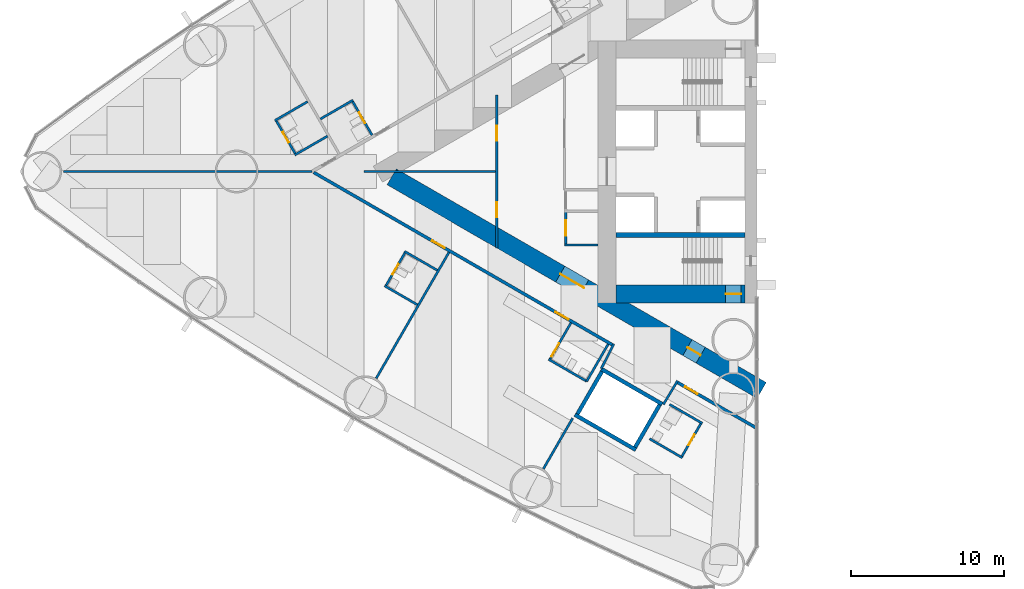
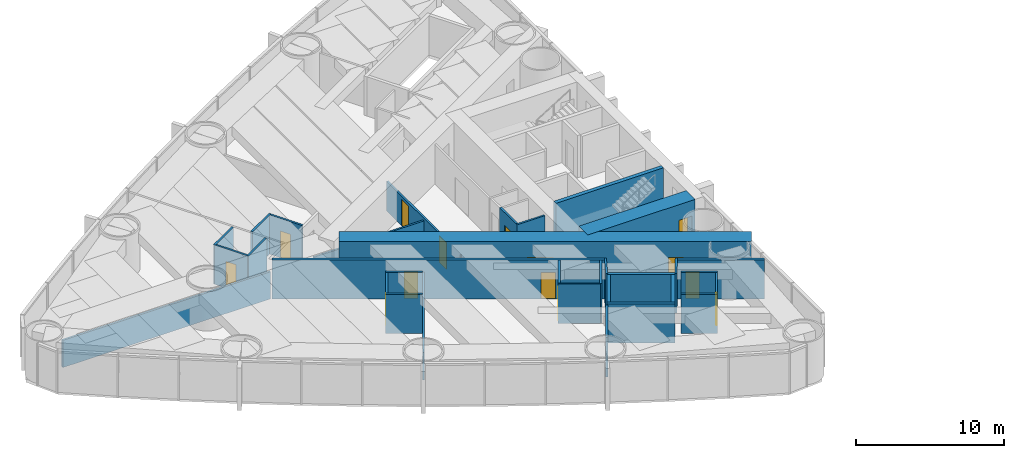
# One storey, part 11 of 19: 32 walls, 14 doors, 14 openings.
"""IFC4 building model written with IfcOpenShell, lengths in metres."""

import ifcopenshell
import ifcopenshell.guid

model = None  # the IFC model being written
_history = None  # IfcOwnerHistory: only IFC2X3 demands one
_inside = {}  # id of a spatial element -> (the spatial element, [elements in it])
_under = {}  # id of a project, library or spatial element -> (it, [spatial elements below it])
_declared = {}  # id of a project -> (the project, [libraries it declares])
_typed = {}  # id of a type object -> (the type object, [elements of that type])
_made_of = {}  # id of a material, layer set ... -> (it, [elements and type objects made of it])


def new_model(schema):
    """Start an empty IFC model of exactly this schema.

    Asked for "IFC4X3", IfcOpenShell would pick the latest addendum, in which some entities
    have other attributes; the version numbers below select the first issue.
    IFC2X3 requires an IfcOwnerHistory on every rooted entity: one is made here for all.
    """
    global model, _history
    if schema == "IFC4X3":
        model = ifcopenshell.file(schema_version=(4, 3, 0, 0))
    else:
        model = ifcopenshell.file(schema=schema)
    _inside.clear()
    _under.clear()
    _declared.clear()
    _typed.clear()
    _made_of.clear()
    _history = None
    if model.schema == "IFC2X3":
        org = make("IfcOrganization", Name="unknown")
        user = make(
            "IfcPersonAndOrganization",
            ThePerson=make("IfcPerson", FamilyName="unknown"),
            TheOrganization=org,
        )
        app = make(
            "IfcApplication",
            ApplicationDeveloper=org,
            Version="unknown",
            ApplicationFullName="unknown",
            ApplicationIdentifier="unknown",
        )
        _history = make(
            "IfcOwnerHistory",
            OwningUser=user,
            OwningApplication=app,
            ChangeAction="ADDED",
            CreationDate=0,
        )
    return model


def make(cls, **values):
    """One entity of the class cls with the attributes given. An attribute that is None is left unset."""
    return model.create_entity(
        cls, **{name: value for name, value in values.items() if value is not None}
    )


def rooted(cls, **values):
    """An entity with a GlobalId (a new one), such as an element, a storey or a relation."""
    return make(cls, GlobalId=ifcopenshell.guid.new(), OwnerHistory=_history, **values)


def si_unit(unit_type, name, prefix=None):
    """IfcSIUnit, for example si_unit("LENGTHUNIT", "METRE", prefix="MILLI")."""
    return make("IfcSIUnit", UnitType=unit_type, Prefix=prefix, Name=name)


def assignment(units):
    """IfcUnitAssignment: the units of a project."""
    return None if units is None else make("IfcUnitAssignment", Units=units)


def point(xyz):
    """IfcCartesianPoint."""
    return None if xyz is None else make("IfcCartesianPoint", Coordinates=xyz)


def direction(xyz):
    """IfcDirection."""
    return None if xyz is None else make("IfcDirection", DirectionRatios=xyz)


def frame(location, z_axis=None, x_axis=None):
    """IfcAxis2Placement3D, a coordinate frame: its origin and axes. An axis left out is left unset."""
    return make(
        "IfcAxis2Placement3D",
        Location=point(location),
        Axis=direction(z_axis),
        RefDirection=direction(x_axis),
    )


def frame_2d(location, x_axis=None):
    """IfcAxis2Placement2D, a coordinate frame in the plane: its origin and x axis."""
    return make(
        "IfcAxis2Placement2D", Location=point(location), RefDirection=direction(x_axis)
    )


def origin():
    """The frame at (0, 0, 0) with its axes left unset."""
    return frame((0.0, 0.0, 0.0))


def place(relative_to, where):
    """IfcLocalPlacement: puts the frame where relative to a parent placement (None: the world)."""
    return make(
        "IfcLocalPlacement", PlacementRelTo=relative_to, RelativePlacement=where
    )


def context(
    kind, dimensions, precision=None, world=None, true_north=None, identifier=None
):
    """IfcGeometricRepresentationContext, for example the 3D "Model" context."""
    return make(
        "IfcGeometricRepresentationContext",
        ContextIdentifier=identifier,
        ContextType=kind,
        CoordinateSpaceDimension=dimensions,
        Precision=precision,
        WorldCoordinateSystem=world,
        TrueNorth=true_north,
    )


def subcontext(parent, identifier, kind, view, scale=None):
    """IfcGeometricRepresentationSubContext, for example "Body" below "Model"."""
    return make(
        "IfcGeometricRepresentationSubContext",
        ContextIdentifier=identifier,
        ContextType=kind,
        ParentContext=parent,
        TargetScale=scale,
        TargetView=view,
    )


def project(units=None, contexts=None):
    """IfcProject with its units and contexts."""
    return rooted(
        "IfcProject",
        Name="project",
        RepresentationContexts=contexts,
        UnitsInContext=assignment(units),
    )


def spatial(cls, under=None, at=None, **own):
    """A site, building, storey or space (cls), placed at a placement, below another one or the project."""
    s = rooted(cls, ObjectPlacement=at, **own)
    if under is not None:
        _under.setdefault(under.id(), (under, []))[1].append(s)
    return s


def profile(cls, at=None, kind="AREA", **sizes):
    """A parametric profile (cls). Its sizes go by their IFC names, for example OverallWidth=200.0."""
    return make(cls, ProfileType=kind, Position=at, **sizes)


def rectangle(**sizes):
    """IfcRectangleProfileDef."""
    return profile("IfcRectangleProfileDef", **sizes)


def extrude(swept, where, along, depth):
    """IfcExtrudedAreaSolid: the profile swept, set in the frame where, extruded along a direction by depth."""
    return make(
        "IfcExtrudedAreaSolid",
        SweptArea=swept,
        Position=where,
        ExtrudedDirection=direction(along),
        Depth=depth,
    )


def shape(context_of_items, identifier, shape_type, items):
    """IfcShapeRepresentation: the items that make up one representation, for example the "Body"."""
    return make(
        "IfcShapeRepresentation",
        ContextOfItems=context_of_items,
        RepresentationIdentifier=identifier,
        RepresentationType=shape_type,
        Items=items,
    )


def material(Name=None, Category=None):
    """IfcMaterial."""
    return make("IfcMaterial", Name=Name, Category=Category)


def layer(
    of_material, thickness, ventilated=None, Name=None, Category=None, Priority=None
):
    """IfcMaterialLayer: one layer of a wall or slab, of a material (None: an air gap)."""
    return make(
        "IfcMaterialLayer",
        Material=of_material,
        LayerThickness=thickness,
        IsVentilated=ventilated,
        Name=Name,
        Category=Category,
        Priority=Priority,
    )


def layer_set(layers, Name=None):
    """IfcMaterialLayerSet."""
    return make("IfcMaterialLayerSet", MaterialLayers=layers, LayerSetName=Name)


def made_of(thing, what):
    """Note that an element or type object is made of a material, layer set ...; save() writes the relation."""
    if what is not None:
        _made_of.setdefault(what.id(), (what, []))[1].append(thing)
    return thing


def type_object(cls, material=None, **own):
    """A type object (cls), such as IfcWallType, which elements share."""
    return made_of(rooted(cls, **own), material)


def element(
    cls,
    number,
    at=None,
    inside=None,
    cuts=None,
    type_object=None,
    material=None,
    context=None,
    identifier="Body",
    shape_type=None,
    held_by="IfcProductDefinitionShape",
    body=None,
    shapes=None,
    **own,
):
    """One element of the class cls, such as IfcWall. Its Tag is "e" and its number.

    at: its placement. inside: the storey or other place that contains it. cuts: it is an
    opening in that element (IfcRelVoidsElement). A single representation is given by context,
    identifier, shape_type and body (its items); several are given by shapes. held_by: the class
    of the entity that holds the representations. save() writes the other relations.
    """
    e = rooted(cls, Tag="e%d" % number, ObjectPlacement=at, **own)
    if body is not None:
        shapes = [shape(context, identifier, shape_type, body)]
    if shapes is not None:
        e.Representation = make(held_by, Representations=shapes)
    if inside is not None:
        _inside.setdefault(inside.id(), (inside, []))[1].append(e)
    if cuts is not None:
        rooted(
            "IfcRelVoidsElement", RelatingBuildingElement=cuts, RelatedOpeningElement=e
        )
    if type_object is not None:
        _typed.setdefault(type_object.id(), (type_object, []))[1].append(e)
    return made_of(e, material)


def fill(opening, filler):
    """IfcRelFillsElement: the door or window that sits in an opening."""
    return rooted(
        "IfcRelFillsElement",
        RelatingOpeningElement=opening,
        RelatedBuildingElement=filler,
    )


def aggregate(whole, parts):
    """IfcRelAggregates: a whole, such as a stair, and the parts it consists of."""
    return rooted("IfcRelAggregates", RelatingObject=whole, RelatedObjects=parts)


def save(model, path):
    """Write the relations noted so far, then the file.

    IfcRelAggregates (storeys below a building ...), IfcRelContainedInSpatialStructure (elements
    in a storey), IfcRelDefinesByType, IfcRelAssociatesMaterial and IfcRelDeclares: one each for
    every whole, place, type object, material and project.
    """
    for whole, parts in _under.values():
        aggregate(whole, parts)
    for where, things in _inside.values():
        rooted(
            "IfcRelContainedInSpatialStructure",
            RelatedElements=things,
            RelatingStructure=where,
        )
    for kind, things in _typed.values():
        rooted("IfcRelDefinesByType", RelatedObjects=things, RelatingType=kind)
    for what, things in _made_of.values():
        rooted("IfcRelAssociatesMaterial", RelatedObjects=things, RelatingMaterial=what)
    for by, libraries in _declared.values():
        rooted("IfcRelDeclares", RelatingContext=by, RelatedDefinitions=libraries)
    model.write(path)


model = new_model("IFC4")

# Units and contexts
model_context = context("Model", 3, precision=1e-05, world=origin(), true_north=direction((0.0, 1.0)))
body_context = subcontext(model_context, "Body", "Model", "MODEL_VIEW")
ifc_project = project(units=[si_unit("LENGTHUNIT", "METRE"), si_unit("AREAUNIT", "SQUARE_METRE"), si_unit("VOLUMEUNIT", "CUBIC_METRE"), si_unit("PLANEANGLEUNIT", "RADIAN"), si_unit("MASSUNIT", "GRAM", prefix="KILO")], contexts=[model_context])

# Site, building, storey
site_placement = place(None, origin())
site = spatial("IfcSite", under=ifc_project, at=site_placement, CompositionType="ELEMENT")
building_placement = place(site_placement, origin())
building = spatial("IfcBuilding", under=site, at=building_placement, Name="Lancet Gate Hotel", CompositionType="ELEMENT")
storey_placement = place(building_placement, frame((0.0, 0.0, 32.0)))
storey = spatial("IfcBuildingStorey", under=building, at=storey_placement, Name="L07", CompositionType="ELEMENT", Elevation=32.0)

# Wall
ifc_material_1 = material(Name="Moisture resistant board partition")
ifc_layer_1 = layer(ifc_material_1, 0.14990234375)
ifc_layer_set_1 = layer_set([ifc_layer_1], Name="Bathroom wall 150")
wall_type_1 = type_object("IfcWallType", Name="Bathroom wall 150", PredefinedType="PARTITIONING", material=ifc_layer_set_1)
wall_1_placement = place(storey_placement, frame((-53.8876953125, 4.665283203125, 0.0), z_axis=(0.0, 0.0, 1.0), x_axis=(-0.866006523861, -0.500032699561, 0.0)))
element("IfcWall", 1, at=wall_1_placement, inside=storey, type_object=wall_type_1, Name="T1 bathroom wall 150 L07", PredefinedType="PARTITIONING", context=body_context, shape_type="SweptSolid", body=[
    extrude(rectangle(XDim=2.474853515625, YDim=0.14990234375, at=frame_2d((1.2373046875, 0.0))), origin(), (0.0, 0.0, 1.0), 3.25),
])

# Wall, opening, door
wall_2_placement = place(storey_placement, frame((-52.652587890625, 2.376220703125, 0.0), z_axis=(0.0, 0.0, 1.0), x_axis=(-0.500006934395, 0.866021400173, 0.0)))
wall_2 = element("IfcWall", 2, at=wall_2_placement, inside=storey, type_object=wall_type_1, Name="T1 bathroom wall 150 L07", PredefinedType="PARTITIONING", context=body_context, shape_type="SweptSolid", body=[
    extrude(rectangle(XDim=2.60009765625, YDim=0.14990234375, at=frame_2d((1.300048828125, 0.0))), origin(), (0.0, 0.0, 1.0), 3.25),
])
opening_1_placement = place(wall_2_placement, frame((0.89990234375, 0.0, 0.0)))
opening_1 = element("IfcOpeningElement", 3, at=opening_1_placement, cuts=wall_2, Name="Opening 0703-B", PredefinedType="OPENING", context=body_context, shape_type="SweptSolid", body=[
    extrude(rectangle(XDim=0.800048828125, YDim=2.199951171875, at=frame_2d((0.39990234375, 1.10009765625))), frame((0.0, 0.0849609375, 0.0), z_axis=(0.0, -1.0, 0.0), x_axis=(1.0, 0.0, 0.0)), (0.0, 0.0, 1.0), 0.169921875),
])
ifc_material_2 = material(Name="Timber door set", Category="wood")
door_type_1 = type_object("IfcDoorType", Name="Bathroom door 800", OperationType="SINGLE_SWING_RIGHT", PredefinedType="DOOR", material=ifc_material_2)
door_1_placement = place(opening_1_placement, origin())
door_1 = element("IfcDoor", 4, at=door_1_placement, inside=storey, type_object=door_type_1, Name="0703-B", OperationType="SINGLE_SWING_RIGHT", OverallHeight=2.199951171875, OverallWidth=0.800048828125, PredefinedType="DOOR", context=body_context, shape_type="SweptSolid", body=[
    extrude(rectangle(XDim=0.800048828125, YDim=2.199951171875, at=frame_2d((0.39990234375, 1.10009765625))), frame((0.0, 0.02490234375, 0.0), z_axis=(0.0, -1.0, 0.0), x_axis=(1.0, 0.0, 0.0)), (0.0, 0.0, 1.0), 0.050048828125),
])
fill(opening_1, door_1)

# Wall
wall_3_placement = place(storey_placement, frame((-56.861083984375, 4.565185546875, 0.0), z_axis=(0.0, 0.0, 1.0), x_axis=(-0.86604923931, -0.499958713387, 0.0)))
element("IfcWall", 5, at=wall_3_placement, inside=storey, type_object=wall_type_1, Name="T1 bathroom wall 150 L07", PredefinedType="PARTITIONING", context=body_context, shape_type="SweptSolid", body=[
    extrude(rectangle(XDim=2.474853515625, YDim=0.14990234375, at=frame_2d((1.2373046875, 0.0))), origin(), (0.0, 0.0, 1.0), 3.25),
])

# Wall, opening, door
wall_4_placement = place(storey_placement, frame((-57.639404296875, 1.113525390625, 0.0), z_axis=(0.0, 0.0, 1.0), x_axis=(-0.500006934395, 0.866021400173, 0.0)))
wall_4 = element("IfcWall", 6, at=wall_4_placement, inside=storey, type_object=wall_type_1, Name="T1 bathroom wall 150 L07", PredefinedType="PARTITIONING", context=body_context, shape_type="SweptSolid", body=[
    extrude(rectangle(XDim=2.60009765625, YDim=0.14990234375, at=frame_2d((1.300048828125, 0.0))), origin(), (0.0, 0.0, 1.0), 3.25),
])
opening_2_placement = place(wall_4_placement, frame((0.89990234375, 0.0, 0.0)))
opening_2 = element("IfcOpeningElement", 7, at=opening_2_placement, cuts=wall_4, Name="Opening 0704-B", PredefinedType="OPENING", context=body_context, shape_type="SweptSolid", body=[
    extrude(rectangle(XDim=0.800048828125, YDim=2.199951171875, at=frame_2d((0.39990234375, 1.10009765625))), frame((0.0, 0.0849609375, 0.0), z_axis=(0.0, -1.0, 0.0), x_axis=(1.0, 0.0, 0.0)), (0.0, 0.0, 1.0), 0.169921875),
])
door_2_placement = place(opening_2_placement, origin())
door_2 = element("IfcDoor", 8, at=door_2_placement, inside=storey, type_object=door_type_1, Name="0704-B", OperationType="SINGLE_SWING_RIGHT", OverallHeight=2.199951171875, OverallWidth=0.800048828125, PredefinedType="DOOR", context=body_context, shape_type="SweptSolid", body=[
    extrude(rectangle(XDim=0.800048828125, YDim=2.199951171875, at=frame_2d((0.39990234375, 1.10009765625))), frame((0.0, 0.02490234375, 0.0), z_axis=(0.0, -1.0, 0.0), x_axis=(1.0, 0.0, 0.0)), (0.0, 0.0, 1.0), 0.050048828125),
])
fill(opening_2, door_2)

# Walls
wall_5_placement = place(storey_placement, frame((-55.56103515625, 2.3134765625, 0.0), z_axis=(0.0, 0.0, 1.0), x_axis=(-0.86604923931, -0.499958713387, 0.0)))
element("IfcWall", 9, at=wall_5_placement, inside=storey, type_object=wall_type_1, Name="T1 bathroom wall 150 L07", PredefinedType="PARTITIONING", context=body_context, shape_type="SweptSolid", body=[
    extrude(rectangle(XDim=2.474853515625, YDim=0.14990234375, at=frame_2d((1.2373046875, 0.0))), origin(), (0.0, 0.0, 1.0), 3.25),
])
wall_6_placement = place(storey_placement, frame((-49.691650390625, -8.704345703125, 0.0), z_axis=(0.0, 0.0, 1.0), x_axis=(-0.866073894602, 0.499916002032, 0.0)))
element("IfcWall", 10, at=wall_6_placement, inside=storey, type_object=wall_type_1, Name="T1 bathroom wall 150 L07", PredefinedType="PARTITIONING", context=body_context, shape_type="SweptSolid", body=[
    extrude(rectangle(XDim=2.47509765625, YDim=0.14990234375, at=frame_2d((1.237548828125, 0.0))), origin(), (0.0, 0.0, 1.0), 3.25),
])

# Wall, opening, door
wall_7_placement = place(storey_placement, frame((-50.47021484375, -5.252685546875, 0.0), z_axis=(0.0, 0.0, 1.0), x_axis=(-0.500006934395, -0.866021400173, 0.0)))
wall_7 = element("IfcWall", 11, at=wall_7_placement, inside=storey, type_object=wall_type_1, Name="T1 bathroom wall 150 L07", PredefinedType="PARTITIONING", context=body_context, shape_type="SweptSolid", body=[
    extrude(rectangle(XDim=2.60009765625, YDim=0.14990234375, at=frame_2d((1.300048828125, 0.0))), origin(), (0.0, 0.0, 1.0), 3.25),
])
opening_3_placement = place(wall_7_placement, frame((0.89990234375, 0.0, 0.0)))
opening_3 = element("IfcOpeningElement", 12, at=opening_3_placement, cuts=wall_7, Name="Opening 0705-B", PredefinedType="OPENING", context=body_context, shape_type="SweptSolid", body=[
    extrude(rectangle(XDim=0.800048828125, YDim=2.199951171875, at=frame_2d((0.39990234375, 1.10009765625))), frame((0.0, 0.0849609375, 0.0), z_axis=(0.0, -1.0, 0.0), x_axis=(1.0, 0.0, 0.0)), (0.0, 0.0, 1.0), 0.169921875),
])
door_3_placement = place(opening_3_placement, origin())
door_3 = element("IfcDoor", 13, at=door_3_placement, inside=storey, type_object=door_type_1, Name="0705-B", OperationType="SINGLE_SWING_RIGHT", OverallHeight=2.199951171875, OverallWidth=0.800048828125, PredefinedType="DOOR", context=body_context, shape_type="SweptSolid", body=[
    extrude(rectangle(XDim=0.800048828125, YDim=2.199951171875, at=frame_2d((0.39990234375, 1.10009765625))), frame((0.0, 0.02490234375, 0.0), z_axis=(0.0, -1.0, 0.0), x_axis=(1.0, 0.0, 0.0)), (0.0, 0.0, 1.0), 0.050048828125),
])
fill(opening_3, door_3)

# Walls
wall_8_placement = place(storey_placement, frame((-48.391845703125, -6.45263671875, 0.0), z_axis=(0.0, 0.0, 1.0), x_axis=(-0.86604923931, 0.499958713387, 0.0)))
element("IfcWall", 14, at=wall_8_placement, inside=storey, type_object=wall_type_1, Name="T1 bathroom wall 150 L07", PredefinedType="PARTITIONING", context=body_context, shape_type="SweptSolid", body=[
    extrude(rectangle(XDim=2.474853515625, YDim=0.14990234375, at=frame_2d((1.2373046875, 0.0))), origin(), (0.0, 0.0, 1.0), 3.25),
])
wall_9_placement = place(storey_placement, frame((-38.630126953125, -13.705322265625, 0.0), z_axis=(0.0, 0.0, 1.0), x_axis=(-0.866018712932, 0.500011588718, 0.0)))
element("IfcWall", 15, at=wall_9_placement, inside=storey, type_object=wall_type_1, Name="T1 bathroom wall 150 L07", PredefinedType="PARTITIONING", context=body_context, shape_type="SweptSolid", body=[
    extrude(rectangle(XDim=2.875, YDim=0.14990234375, at=frame_2d((1.4375, 0.0))), origin(), (0.0, 0.0, 1.0), 3.25),
])

# Wall, opening, door
wall_10_placement = place(storey_placement, frame((-39.65478515625, -9.88037109375, 0.0), z_axis=(0.0, 0.0, 1.0), x_axis=(-0.500049511043, -0.865996816683, 0.0)))
wall_10 = element("IfcWall", 16, at=wall_10_placement, inside=storey, type_object=wall_type_1, Name="T1 bathroom wall 150 L07", PredefinedType="PARTITIONING", context=body_context, shape_type="SweptSolid", body=[
    extrude(rectangle(XDim=2.800048828125, YDim=0.14990234375, at=frame_2d((1.39990234375, 0.0))), origin(), (0.0, 0.0, 1.0), 3.25),
])
opening_4_placement = place(wall_10_placement, frame((1.550048828125, 0.0, 0.0)))
opening_4 = element("IfcOpeningElement", 17, at=opening_4_placement, cuts=wall_10, Name="Opening 0707-B", PredefinedType="OPENING", context=body_context, shape_type="SweptSolid", body=[
    extrude(rectangle(XDim=1.0, YDim=2.199951171875, at=frame_2d((0.5, 1.10009765625))), frame((0.0, 0.0849609375, 0.0), z_axis=(0.0, -1.0, 0.0), x_axis=(1.0, 0.0, 0.0)), (0.0, 0.0, 1.0), 0.169921875),
])
ifc_material_3 = material(Name="Timber door set", Category="wood")
door_type_2 = type_object("IfcDoorType", Name="Accessible en-suite door 1000", OperationType="SINGLE_SWING_RIGHT", PredefinedType="DOOR", material=ifc_material_3)
door_4_placement = place(opening_4_placement, origin())
door_4 = element("IfcDoor", 18, at=door_4_placement, inside=storey, type_object=door_type_2, Name="0707-B", OperationType="SINGLE_SWING_RIGHT", OverallHeight=2.199951171875, OverallWidth=1.0, PredefinedType="DOOR", context=body_context, shape_type="SweptSolid", body=[
    extrude(rectangle(XDim=1.0, YDim=2.199951171875, at=frame_2d((0.5, 1.10009765625))), frame((0.0, 0.02490234375, 0.0), z_axis=(0.0, -1.0, 0.0), x_axis=(1.0, 0.0, 0.0)), (0.0, 0.0, 1.0), 0.050048828125),
])
fill(opening_4, door_4)

# Walls
wall_11_placement = place(storey_placement, frame((-37.22998046875, -11.280517578125, 0.0), z_axis=(0.0, 0.0, 1.0), x_axis=(-0.500049511043, -0.865996816683, 0.0)))
element("IfcWall", 19, at=wall_11_placement, inside=storey, type_object=wall_type_1, Name="T1 bathroom wall 150 L07", PredefinedType="PARTITIONING", context=body_context, shape_type="SweptSolid", body=[
    extrude(rectangle(XDim=2.800048828125, YDim=0.14990234375, at=frame_2d((1.39990234375, 0.0))), origin(), (0.0, 0.0, 1.0), 3.25),
])
wall_12_placement = place(storey_placement, frame((-32.3759765625, -18.70166015625, 0.0), z_axis=(0.0, 0.0, 1.0), x_axis=(-0.866006523861, 0.500032699561, 0.0)))
element("IfcWall", 20, at=wall_12_placement, inside=storey, type_object=wall_type_1, Name="T1 bathroom wall 150 L07", PredefinedType="PARTITIONING", context=body_context, shape_type="SweptSolid", body=[
    extrude(rectangle(XDim=2.474853515625, YDim=0.14990234375, at=frame_2d((1.2373046875, 0.0))), origin(), (0.0, 0.0, 1.0), 3.25),
])

# Wall, opening, door
wall_13_placement = place(storey_placement, frame((-31.140869140625, -16.41259765625, 0.0), z_axis=(0.0, 0.0, 1.0), x_axis=(-0.500006934395, -0.866021400173, 0.0)))
wall_13 = element("IfcWall", 21, at=wall_13_placement, inside=storey, type_object=wall_type_1, Name="T1 bathroom wall 150 L07", PredefinedType="PARTITIONING", context=body_context, shape_type="SweptSolid", body=[
    extrude(rectangle(XDim=2.60009765625, YDim=0.14990234375, at=frame_2d((1.300048828125, 0.0))), origin(), (0.0, 0.0, 1.0), 3.25),
])
opening_5_placement = place(wall_13_placement, frame((0.89990234375, 0.0, 0.0)))
opening_5 = element("IfcOpeningElement", 22, at=opening_5_placement, cuts=wall_13, Name="Opening 0708-B", PredefinedType="OPENING", context=body_context, shape_type="SweptSolid", body=[
    extrude(rectangle(XDim=0.800048828125, YDim=2.199951171875, at=frame_2d((0.39990234375, 1.10009765625))), frame((0.0, 0.0849609375, 0.0), z_axis=(0.0, -1.0, 0.0), x_axis=(1.0, 0.0, 0.0)), (0.0, 0.0, 1.0), 0.169921875),
])
door_5_placement = place(opening_5_placement, origin())
door_5 = element("IfcDoor", 23, at=door_5_placement, inside=storey, type_object=door_type_1, Name="0708-B", OperationType="SINGLE_SWING_RIGHT", OverallHeight=2.199951171875, OverallWidth=0.800048828125, PredefinedType="DOOR", context=body_context, shape_type="SweptSolid", body=[
    extrude(rectangle(XDim=0.800048828125, YDim=2.199951171875, at=frame_2d((0.39990234375, 1.10009765625))), frame((0.0, 0.02490234375, 0.0), z_axis=(0.0, -1.0, 0.0), x_axis=(1.0, 0.0, 0.0)), (0.0, 0.0, 1.0), 0.050048828125),
])
fill(opening_5, door_5)

# Wall
wall_14_placement = place(storey_placement, frame((-31.075927734375, -16.449951171875, 0.0), z_axis=(0.0, 0.0, 1.0), x_axis=(-0.866073894602, 0.499916002032, 0.0)))
element("IfcWall", 24, at=wall_14_placement, inside=storey, type_object=wall_type_1, Name="T1 bathroom wall 150 L07", PredefinedType="PARTITIONING", context=body_context, shape_type="SweptSolid", body=[
    extrude(rectangle(XDim=2.47509765625, YDim=0.14990234375, at=frame_2d((1.237548828125, 0.0))), origin(), (0.0, 0.0, 1.0), 3.25),
])

# Wall, openings, doors
ifc_material_4 = material(Name="Concrete C70/85", Category="concrete")
ifc_layer_2 = layer(ifc_material_4, 1.199951171875)
ifc_layer_set_2 = layer_set([ifc_layer_2], Name="Buttress wall 1200")
wall_type_2 = type_object("IfcWallType", Name="Buttress wall 1200", PredefinedType="SHEAR", material=ifc_layer_set_2)
wall_15_placement = place(storey_placement, frame((-27.199951171875, -14.300048828125, 0.0), z_axis=(0.0, 0.0, 1.0), x_axis=(-0.866024021859, 0.500002393557, 0.0)))
wall_15 = element("IfcWall", 25, at=wall_15_placement, inside=storey, type_object=wall_type_2, Name="T1 buttress wall N L07", PredefinedType="SHEAR", context=body_context, shape_type="SweptSolid", body=[
    extrude(rectangle(XDim=27.906982421875, YDim=1.199951171875, at=frame_2d((13.95361328125, 0.0))), origin(), (0.0, 0.0, 1.0), 3.5),
])
opening_6_placement = place(wall_15_placement, frame((4.60009765625, 0.0, 0.0)))
opening_6 = element("IfcOpeningElement", 26, at=opening_6_placement, cuts=wall_15, Name="Opening T1-L07-LN", PredefinedType="OPENING", context=body_context, shape_type="SweptSolid", body=[
    extrude(rectangle(XDim=1.0, YDim=2.199951171875, at=frame_2d((0.5, 1.10009765625))), frame((0.0, 0.60986328125, 0.0), z_axis=(0.0, -1.0, 0.0), x_axis=(1.0, 0.0, 0.0)), (0.0, 0.0, 1.0), 1.219970703125),
])
opening_7_placement = place(wall_15_placement, frame((13.39453125, 0.0, 0.0)))
opening_7 = element("IfcOpeningElement", 27, at=opening_7_placement, cuts=wall_15, Name="Opening T1-L07-LHN", PredefinedType="OPENING", context=body_context, shape_type="SweptSolid", body=[
    extrude(rectangle(XDim=1.800048828125, YDim=2.199951171875, at=frame_2d((0.89990234375, 1.10009765625))), frame((0.0, 0.60986328125, 0.0), z_axis=(0.0, -1.0, 0.0), x_axis=(1.0, 0.0, 0.0)), (0.0, 0.0, 1.0), 1.219970703125),
])
ifc_material_5 = material(Name="Timber door set", Category="wood")
door_type_3 = type_object("IfcDoorType", Name="Lobby double door 1800", OperationType="DOUBLE_DOOR_SINGLE_SWING", PredefinedType="DOOR", material=ifc_material_5)
door_6_placement = place(opening_7_placement, origin())
door_6 = element("IfcDoor", 28, at=door_6_placement, inside=storey, type_object=door_type_3, Name="T1-L07-LHN", OperationType="DOUBLE_DOOR_SINGLE_SWING", OverallHeight=2.199951171875, OverallWidth=1.800048828125, PredefinedType="DOOR", context=body_context, shape_type="SweptSolid", body=[
    extrude(rectangle(XDim=1.800048828125, YDim=2.199951171875, at=frame_2d((0.89990234375, 1.10009765625))), frame((0.0, 0.02490234375, 0.0), z_axis=(0.0, -1.0, 0.0), x_axis=(1.0, 0.0, 0.0)), (0.0, 0.0, 1.0), 0.050048828125),
])
fill(opening_7, door_6)
ifc_material_6 = material(Name="Timber door set", Category="wood")
door_type_4 = type_object("IfcDoorType", Name="Stair lobby door 1000", OperationType="SINGLE_SWING_LEFT", PredefinedType="DOOR", material=ifc_material_6)
door_7_placement = place(opening_6_placement, origin())
door_7 = element("IfcDoor", 29, at=door_7_placement, inside=storey, type_object=door_type_4, Name="T1-L07-LN", OperationType="SINGLE_SWING_LEFT", OverallHeight=2.199951171875, OverallWidth=1.0, PredefinedType="DOOR", context=body_context, shape_type="SweptSolid", body=[
    extrude(rectangle(XDim=1.0, YDim=2.199951171875, at=frame_2d((0.5, 1.10009765625))), frame((0.0, 0.02490234375, 0.0), z_axis=(0.0, -1.0, 0.0), x_axis=(1.0, 0.0, 0.0)), (0.0, 0.0, 1.0), 0.050048828125),
])
fill(opening_6, door_7)

# Wall, opening, door
ifc_material_7 = material(Name="Concrete C70/85", Category="concrete")
ifc_layer_3 = layer(ifc_material_7, 1.199951171875)
ifc_layer_set_3 = layer_set([ifc_layer_3], Name="Core wall 1200")
wall_type_3 = type_object("IfcWallType", Name="Core wall 1200", PredefinedType="SHEAR", material=ifc_layer_set_3)
wall_16_placement = place(storey_placement, frame((-28.300048828125, -8.0, 0.0), z_axis=(0.0, 0.0, 1.0), x_axis=(-1.0, 0.0, 0.0)))
wall_16 = element("IfcWall", 30, at=wall_16_placement, inside=storey, type_object=wall_type_3, Name="T1 core wall side-N L07", PredefinedType="SHEAR", context=body_context, shape_type="SweptSolid", body=[
    extrude(rectangle(XDim=8.39990234375, YDim=1.199951171875, at=frame_2d((4.199951171875, 0.0))), origin(), (0.0, 0.0, 1.0), 3.5),
])
opening_8_placement = place(wall_16_placement, frame((0.25, 0.0, 0.0)))
opening_8 = element("IfcOpeningElement", 31, at=opening_8_placement, cuts=wall_16, Name="Opening T1-L07-ST2", PredefinedType="OPENING", context=body_context, shape_type="SweptSolid", body=[
    extrude(rectangle(XDim=1.0, YDim=2.199951171875, at=frame_2d((0.5, 1.10009765625))), frame((0.0, 0.60986328125, 0.0), z_axis=(0.0, -1.0, 0.0), x_axis=(1.0, 0.0, 0.0)), (0.0, 0.0, 1.0), 1.219970703125),
])
ifc_material_8 = material(Name="Timber door set", Category="wood")
door_type_5 = type_object("IfcDoorType", Name="Stair door 1000", OperationType="SINGLE_SWING_RIGHT", PredefinedType="DOOR", material=ifc_material_8)
door_8_placement = place(opening_8_placement, origin())
door_8 = element("IfcDoor", 32, at=door_8_placement, inside=storey, type_object=door_type_5, Name="T1-L07-ST2", OperationType="SINGLE_SWING_RIGHT", OverallHeight=2.199951171875, OverallWidth=1.0, PredefinedType="DOOR", context=body_context, shape_type="SweptSolid", body=[
    extrude(rectangle(XDim=1.0, YDim=2.199951171875, at=frame_2d((0.5, 1.10009765625))), frame((0.0, 0.02490234375, 0.0), z_axis=(0.0, -1.0, 0.0), x_axis=(1.0, 0.0, 0.0)), (0.0, 0.0, 1.0), 0.050048828125),
])
fill(opening_8, door_8)

ifc_material_9 = material(Name="Gypsum board partition")
ifc_layer_4 = layer(ifc_material_9, 0.199951171875)
ifc_layer_set_4 = layer_set([ifc_layer_4], Name="Corridor wall 200")
wall_type_4 = type_object("IfcWallType", Name="Corridor wall 200", PredefinedType="PARTITIONING", material=ifc_layer_set_4)
wall_17_placement = place(storey_placement, frame((-27.572021484375, -16.740966796875, 0.0), z_axis=(0.0, 0.0, 1.0), x_axis=(-0.866024464444, 0.500001626982, 0.0)))
wall_17 = element("IfcWall", 33, at=wall_17_placement, inside=storey, type_object=wall_type_4, Name="T1 corridor wall 200 L07", PredefinedType="PARTITIONING", context=body_context, shape_type="SweptSolid", body=[
    extrude(rectangle(XDim=5.955078125, YDim=0.199951171875, at=frame_2d((2.9775390625, 0.0))), origin(), (0.0, 0.0, 1.0), 3.25),
])
opening_9_placement = place(wall_17_placement, frame((4.405029296875, 0.0, 0.0)))
opening_9 = element("IfcOpeningElement", 34, at=opening_9_placement, cuts=wall_17, Name="Opening 0708-E", PredefinedType="OPENING", context=body_context, shape_type="SweptSolid", body=[
    extrude(rectangle(XDim=0.949951171875, YDim=2.199951171875, at=frame_2d((0.47509765625, 1.10009765625))), frame((0.0, 0.10986328125, 0.0), z_axis=(0.0, -1.0, 0.0), x_axis=(1.0, 0.0, 0.0)), (0.0, 0.0, 1.0), 0.219970703125),
])
ifc_material_10 = material(Name="Timber door set", Category="wood")
door_type_6 = type_object("IfcDoorType", Name="Guest room entry door 950", OperationType="SINGLE_SWING_LEFT", PredefinedType="DOOR", material=ifc_material_10)
door_9_placement = place(opening_9_placement, origin())
door_9 = element("IfcDoor", 35, at=door_9_placement, inside=storey, type_object=door_type_6, Name="0708-E", OperationType="SINGLE_SWING_LEFT", OverallHeight=2.199951171875, OverallWidth=0.949951171875, PredefinedType="DOOR", context=body_context, shape_type="SweptSolid", body=[
    extrude(rectangle(XDim=0.949951171875, YDim=2.199951171875, at=frame_2d((0.47509765625, 1.10009765625))), frame((0.0, 0.02490234375, 0.0), z_axis=(0.0, -1.0, 0.0), x_axis=(1.0, 0.0, 0.0)), (0.0, 0.0, 1.0), 0.050048828125),
])
fill(opening_9, door_9)

# Wall, openings, doors
wall_18_placement = place(storey_placement, frame((-36.920166015625, -11.34375, 0.0), z_axis=(0.0, 0.0, 1.0), x_axis=(-0.866028313256, 0.499994960614, 0.0)))
wall_18 = element("IfcWall", 36, at=wall_18_placement, inside=storey, type_object=wall_type_4, Name="T1 corridor wall 200 L07", PredefinedType="PARTITIONING", context=body_context, shape_type="SweptSolid", body=[
    extrude(rectangle(XDim=22.567626953125, YDim=0.199951171875, at=frame_2d((11.28369140625, 0.0))), origin(), (0.0, 0.0, 1.0), 3.25),
])
opening_10_placement = place(wall_18_placement, frame((12.68017578125, 0.0, 0.0)))
opening_10 = element("IfcOpeningElement", 37, at=opening_10_placement, cuts=wall_18, Name="Opening 0705-E", PredefinedType="OPENING", context=body_context, shape_type="SweptSolid", body=[
    extrude(rectangle(XDim=0.949951171875, YDim=2.199951171875, at=frame_2d((0.47509765625, 1.10009765625))), frame((0.0, 0.10986328125, 0.0), z_axis=(0.0, -1.0, 0.0), x_axis=(1.0, 0.0, 0.0)), (0.0, 0.0, 1.0), 0.219970703125),
])
opening_11_placement = place(wall_18_placement, frame((3.35009765625, 0.0, 0.0)))
opening_11 = element("IfcOpeningElement", 38, at=opening_11_placement, cuts=wall_18, Name="Opening 0707-E", PredefinedType="OPENING", context=body_context, shape_type="SweptSolid", body=[
    extrude(rectangle(XDim=1.0, YDim=2.199951171875, at=frame_2d((0.5, 1.10009765625))), frame((0.0, 0.10986328125, 0.0), z_axis=(0.0, -1.0, 0.0), x_axis=(1.0, 0.0, 0.0)), (0.0, 0.0, 1.0), 0.219970703125),
])
ifc_material_11 = material(Name="Timber door set", Category="wood")
door_type_7 = type_object("IfcDoorType", Name="Accessible guest room door 1000", OperationType="SINGLE_SWING_LEFT", PredefinedType="DOOR", material=ifc_material_11)
door_10_placement = place(opening_11_placement, origin())
door_10 = element("IfcDoor", 39, at=door_10_placement, inside=storey, type_object=door_type_7, Name="0707-E", OperationType="SINGLE_SWING_LEFT", OverallHeight=2.199951171875, OverallWidth=1.0, PredefinedType="DOOR", context=body_context, shape_type="SweptSolid", body=[
    extrude(rectangle(XDim=1.0, YDim=2.199951171875, at=frame_2d((0.5, 1.10009765625))), frame((0.0, 0.02490234375, 0.0), z_axis=(0.0, -1.0, 0.0), x_axis=(1.0, 0.0, 0.0)), (0.0, 0.0, 1.0), 0.050048828125),
])
fill(opening_11, door_10)
door_11_placement = place(opening_10_placement, origin())
door_11 = element("IfcDoor", 40, at=door_11_placement, inside=storey, type_object=door_type_6, Name="0705-E", OperationType="SINGLE_SWING_LEFT", OverallHeight=2.199951171875, OverallWidth=0.949951171875, PredefinedType="DOOR", context=body_context, shape_type="SweptSolid", body=[
    extrude(rectangle(XDim=0.949951171875, YDim=2.199951171875, at=frame_2d((0.47509765625, 1.10009765625))), frame((0.0, 0.02490234375, 0.0), z_axis=(0.0, -1.0, 0.0), x_axis=(1.0, 0.0, 0.0)), (0.0, 0.0, 1.0), 0.050048828125),
])
fill(opening_10, door_11)

# Walls
ifc_material_12 = material(Name="Gypsum board partition")
ifc_layer_5 = layer(ifc_material_12, 0.25)
ifc_layer_set_5 = layer_set([ifc_layer_5], Name="Lift shaft partition 250")
wall_type_5 = type_object("IfcWallType", Name="Lift shaft partition 250", PredefinedType="PARTITIONING", material=ifc_layer_set_5)
wall_19_placement = place(storey_placement, frame((-33.695556640625, -15.197265625, 0.0), z_axis=(0.0, 0.0, 1.0), x_axis=(-0.865976953817, 0.500083908417, 0.0)))
element("IfcWall", 41, at=wall_19_placement, inside=storey, type_object=wall_type_5, Name="T1 lift shaft wall EX L07", PredefinedType="PARTITIONING", context=body_context, shape_type="SweptSolid", body=[
    extrude(rectangle(XDim=4.599365234375, YDim=0.25, at=frame_2d((2.2998046875, 0.0))), origin(), (0.0, 0.0, 1.0), 3.25),
])
wall_20_placement = place(storey_placement, frame((-35.42041015625, -18.185791015625, 0.0), z_axis=(0.0, 0.0, 1.0), x_axis=(-0.865990227814, 0.50006092162, 0.0)))
element("IfcWall", 42, at=wall_20_placement, inside=storey, type_object=wall_type_5, Name="T1 lift shaft wall EX L07", PredefinedType="PARTITIONING", context=body_context, shape_type="SweptSolid", body=[
    extrude(rectangle(XDim=4.599609375, YDim=0.25, at=frame_2d((2.2998046875, 0.0))), origin(), (0.0, 0.0, 1.0), 3.25),
])
wall_21_placement = place(storey_placement, frame((-33.8662109375, -15.242919921875, 0.0), z_axis=(0.0, 0.0, 1.0), x_axis=(-0.499929347863, -0.866066190972, 0.0)))
element("IfcWall", 43, at=wall_21_placement, inside=storey, type_object=wall_type_5, Name="T1 lift shaft wall EX L07", PredefinedType="PARTITIONING", context=body_context, shape_type="SweptSolid", body=[
    extrude(rectangle(XDim=3.20068359375, YDim=0.25, at=frame_2d((1.600341796875, 0.0))), origin(), (0.0, 0.0, 1.0), 3.25),
])
wall_22_placement = place(storey_placement, frame((-37.6328125, -13.068115234375, 0.0), z_axis=(0.0, 0.0, 1.0), x_axis=(-0.499872130319, -0.866099216793, 0.0)))
element("IfcWall", 44, at=wall_22_placement, inside=storey, type_object=wall_type_5, Name="T1 lift shaft wall EX L07", PredefinedType="PARTITIONING", context=body_context, shape_type="SweptSolid", body=[
    extrude(rectangle(XDim=3.200439453125, YDim=0.25, at=frame_2d((1.60009765625, 0.0))), origin(), (0.0, 0.0, 1.0), 3.25),
])
ifc_material_13 = material(Name="Gypsum board partition")
ifc_layer_6 = layer(ifc_material_13, 0.14990234375)
ifc_layer_set_6 = layer_set([ifc_layer_6], Name="Party wall 150")
wall_type_6 = type_object("IfcWallType", Name="Party wall 150", PredefinedType="PARTITIONING", material=ifc_layer_set_6)
wall_23_placement = place(storey_placement, frame((-47.626708984375, -5.27783203125, 0.0), z_axis=(0.0, 0.0, 1.0), x_axis=(-0.500009844318, -0.86601972009, 0.0)))
element("IfcWall", 45, at=wall_23_placement, inside=storey, type_object=wall_type_6, Name="T1 party wall 150 L07", PredefinedType="PARTITIONING", context=body_context, shape_type="SweptSolid", body=[
    extrude(rectangle(XDim=9.510498046875, YDim=0.14990234375, at=frame_2d((4.75537109375, 0.0))), origin(), (0.0, 0.0, 1.0), 2.25),
])
wall_24_placement = place(storey_placement, frame((-56.568359375, 0.0, 0.0), z_axis=(0.0, 0.0, 1.0), x_axis=(-1.0, 0.0, 0.0)))
element("IfcWall", 46, at=wall_24_placement, inside=storey, type_object=wall_type_6, Name="T1 party wall 150 L07", PredefinedType="PARTITIONING", context=body_context, shape_type="SweptSolid", body=[
    extrude(rectangle(XDim=16.246826171875, YDim=0.14990234375, at=frame_2d((8.12353515625, 0.0))), origin(), (0.0, 0.0, 1.0), 2.25),
])
wall_25_placement = place(storey_placement, frame((-39.55078125, -16.118408203125, 0.0), z_axis=(0.0, 0.0, 1.0), x_axis=(-0.499986503906, -0.866033195618, 0.0)))
element("IfcWall", 47, at=wall_25_placement, inside=storey, type_object=wall_type_6, Name="T1 party wall 150 L07", PredefinedType="PARTITIONING", context=body_context, shape_type="SweptSolid", body=[
    extrude(rectangle(XDim=3.81494140625, YDim=0.14990234375, at=frame_2d((1.907470703125, 0.0))), origin(), (0.0, 0.0, 1.0), 3.25),
])
ifc_material_14 = material(Name="Gypsum board partition")
ifc_layer_7 = layer(ifc_material_14, 0.14990234375)
ifc_layer_set_7 = layer_set([ifc_layer_7], Name="Service room wall 150")
wall_type_7 = type_object("IfcWallType", Name="Service room wall 150", PredefinedType="PARTITIONING", material=ifc_layer_set_7)
wall_26_placement = place(storey_placement, frame((-36.857177734375, -11.2646484375, 0.0), z_axis=(0.0, 0.0, 1.0), x_axis=(-0.454225294761, -0.890886851176, 0.0)))
element("IfcWall", 48, at=wall_26_placement, inside=storey, type_object=wall_type_7, Name="T1 service room wall 150 L07", PredefinedType="PARTITIONING", context=body_context, shape_type="SweptSolid", body=[
    extrude(rectangle(XDim=1.80712890625, YDim=0.14990234375, at=frame_2d((0.903564453125, 0.0))), origin(), (0.0, 0.0, 1.0), 3.25),
])
wall_27_placement = place(storey_placement, frame((-33.62060546875, -15.217529296875, 0.0), z_axis=(0.0, 0.0, 1.0), x_axis=(0.514336634837, 0.857588377991, 0.0)))
element("IfcWall", 49, at=wall_27_placement, inside=storey, type_object=wall_type_7, Name="T1 service room wall 150 L07", PredefinedType="PARTITIONING", context=body_context, shape_type="SweptSolid", body=[
    extrude(rectangle(XDim=1.80517578125, YDim=0.14990234375, at=frame_2d((0.902587890625, 0.0))), origin(), (0.0, 0.0, 1.0), 3.25),
])
wall_28_placement = place(storey_placement, frame((-37.89990234375, -4.800048828125, 0.0), z_axis=(0.0, 0.0, 1.0), x_axis=(-1.0, 0.0, 0.0)))
element("IfcWall", 50, at=wall_28_placement, inside=storey, type_object=wall_type_7, Name="T1 service room wall 150 L07", PredefinedType="PARTITIONING", context=body_context, shape_type="SweptSolid", body=[
    extrude(rectangle(XDim=2.175048828125, YDim=0.14990234375, at=frame_2d((1.08740234375, 0.0))), origin(), (0.0, 0.0, 1.0), 3.25),
])

# Wall, opening, door
wall_29_placement = place(storey_placement, frame((-40.0, -2.52490234375, 0.0), z_axis=(0.0, 0.0, 1.0), x_axis=(0.0, -1.0, 0.0)))
wall_29 = element("IfcWall", 51, at=wall_29_placement, inside=storey, type_object=wall_type_7, Name="T1 service room wall 150 L07", PredefinedType="PARTITIONING", context=body_context, shape_type="SweptSolid", body=[
    extrude(rectangle(XDim=2.35009765625, YDim=0.14990234375, at=frame_2d((1.175048828125, 0.0))), origin(), (0.0, 0.0, 1.0), 3.25),
])
opening_12_placement = place(wall_29_placement, frame((0.675048828125, 0.0, 0.0)))
opening_12 = element("IfcOpeningElement", 52, at=opening_12_placement, cuts=wall_29, Name="Opening T1-L07-HRN1", PredefinedType="OPENING", context=body_context, shape_type="SweptSolid", body=[
    extrude(rectangle(XDim=1.0, YDim=2.199951171875, at=frame_2d((0.5, 1.10009765625))), frame((0.0, 0.0849609375, 0.0), z_axis=(0.0, -1.0, 0.0), x_axis=(1.0, 0.0, 0.0)), (0.0, 0.0, 1.0), 0.169921875),
])
ifc_material_15 = material(Name="Timber door set", Category="wood")
door_type_8 = type_object("IfcDoorType", Name="Service door 1000", OperationType="SINGLE_SWING_LEFT", PredefinedType="DOOR", material=ifc_material_15)
door_12_placement = place(opening_12_placement, origin())
door_12 = element("IfcDoor", 53, at=door_12_placement, inside=storey, type_object=door_type_8, Name="T1-L07-HRN1", OperationType="SINGLE_SWING_LEFT", OverallHeight=2.199951171875, OverallWidth=1.0, PredefinedType="DOOR", context=body_context, shape_type="SweptSolid", body=[
    extrude(rectangle(XDim=1.0, YDim=2.199951171875, at=frame_2d((0.5, 1.10009765625))), frame((0.0, 0.02490234375, 0.0), z_axis=(0.0, -1.0, 0.0), x_axis=(1.0, 0.0, 0.0)), (0.0, 0.0, 1.0), 0.050048828125),
])
fill(opening_12, door_12)

# Wall, openings, doors
wall_30_placement = place(storey_placement, frame((-44.5, 5.004638671875, 0.0), z_axis=(0.0, 0.0, 1.0), x_axis=(0.0, -1.0, 0.0)))
wall_30 = element("IfcWall", 54, at=wall_30_placement, inside=storey, type_object=wall_type_7, Name="T1 service room wall 150 L07", PredefinedType="PARTITIONING", context=body_context, shape_type="SweptSolid", body=[
    extrude(rectangle(XDim=10.00927734375, YDim=0.14990234375, at=frame_2d((5.004638671875, 0.0))), origin(), (0.0, 0.0, 1.0), 2.449951171875),
])
opening_13_placement = place(wall_30_placement, frame((2.002197265625, 0.0, 0.0)))
opening_13 = element("IfcOpeningElement", 55, at=opening_13_placement, cuts=wall_30, Name="Opening T1-L07-SV", PredefinedType="OPENING", context=body_context, shape_type="SweptSolid", body=[
    extrude(rectangle(XDim=1.0, YDim=2.199951171875, at=frame_2d((0.5, 1.10009765625))), frame((0.0, 0.0849609375, 0.0), z_axis=(0.0, -1.0, 0.0), x_axis=(1.0, 0.0, 0.0)), (0.0, 0.0, 1.0), 0.169921875),
])
opening_14_placement = place(wall_30_placement, frame((7.0068359375, 0.0, 0.0)))
opening_14 = element("IfcOpeningElement", 56, at=opening_14_placement, cuts=wall_30, Name="Opening T1-L07-SV2", PredefinedType="OPENING", context=body_context, shape_type="SweptSolid", body=[
    extrude(rectangle(XDim=1.0, YDim=2.199951171875, at=frame_2d((0.5, 1.10009765625))), frame((0.0, 0.0849609375, 0.0), z_axis=(0.0, -1.0, 0.0), x_axis=(1.0, 0.0, 0.0)), (0.0, 0.0, 1.0), 0.169921875),
])
door_13_placement = place(opening_13_placement, origin())
door_13 = element("IfcDoor", 57, at=door_13_placement, inside=storey, type_object=door_type_8, Name="T1-L07-SV", OperationType="SINGLE_SWING_LEFT", OverallHeight=2.199951171875, OverallWidth=1.0, PredefinedType="DOOR", context=body_context, shape_type="SweptSolid", body=[
    extrude(rectangle(XDim=1.0, YDim=2.199951171875, at=frame_2d((0.5, 1.10009765625))), frame((0.0, 0.02490234375, 0.0), z_axis=(0.0, -1.0, 0.0), x_axis=(1.0, 0.0, 0.0)), (0.0, 0.0, 1.0), 0.050048828125),
])
fill(opening_13, door_13)
door_14_placement = place(opening_14_placement, origin())
door_14 = element("IfcDoor", 58, at=door_14_placement, inside=storey, type_object=door_type_8, Name="T1-L07-SV2", OperationType="SINGLE_SWING_LEFT", OverallHeight=2.199951171875, OverallWidth=1.0, PredefinedType="DOOR", context=body_context, shape_type="SweptSolid", body=[
    extrude(rectangle(XDim=1.0, YDim=2.199951171875, at=frame_2d((0.5, 1.10009765625))), frame((0.0, 0.02490234375, 0.0), z_axis=(0.0, -1.0, 0.0), x_axis=(1.0, 0.0, 0.0)), (0.0, 0.0, 1.0), 0.050048828125),
])
fill(opening_14, door_14)

# Walls
wall_31_placement = place(storey_placement, frame((-44.574951171875, 0.0, 0.0), z_axis=(0.0, 0.0, 1.0), x_axis=(-1.0, 0.0, 0.0)))
element("IfcWall", 59, at=wall_31_placement, inside=storey, type_object=wall_type_7, Name="T1 service room wall 150 L07", PredefinedType="PARTITIONING", context=body_context, shape_type="SweptSolid", body=[
    extrude(rectangle(XDim=8.59326171875, YDim=0.14990234375, at=frame_2d((4.296630859375, 0.0))), origin(), (0.0, 0.0, 1.0), 2.25),
])
ifc_material_16 = material(Name="Concrete C50/60", Category="concrete")
ifc_layer_8 = layer(ifc_material_16, 0.300048828125)
ifc_layer_set_8 = layer_set([ifc_layer_8], Name="Stair enclosure wall 300")
wall_type_8 = type_object("IfcWallType", Name="Stair enclosure wall 300", PredefinedType="SHEAR", material=ifc_layer_set_8)
wall_32_placement = place(storey_placement, frame((-28.300048828125, -4.14990234375, 0.0), z_axis=(0.0, 0.0, 1.0), x_axis=(-1.0, 0.0, 0.0)))
element("IfcWall", 60, at=wall_32_placement, inside=storey, type_object=wall_type_8, Name="T1 core wall stair-N L07", PredefinedType="SHEAR", context=body_context, shape_type="SweptSolid", body=[
    extrude(rectangle(XDim=8.39990234375, YDim=0.300048828125, at=frame_2d((4.199951171875, 0.0))), origin(), (0.0, 0.0, 1.0), 3.5),
])

save(model, "model.ifc")
